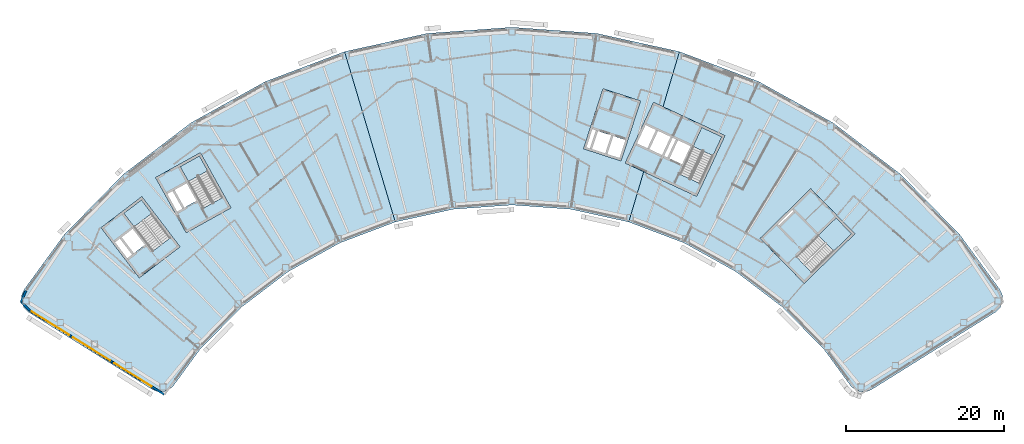
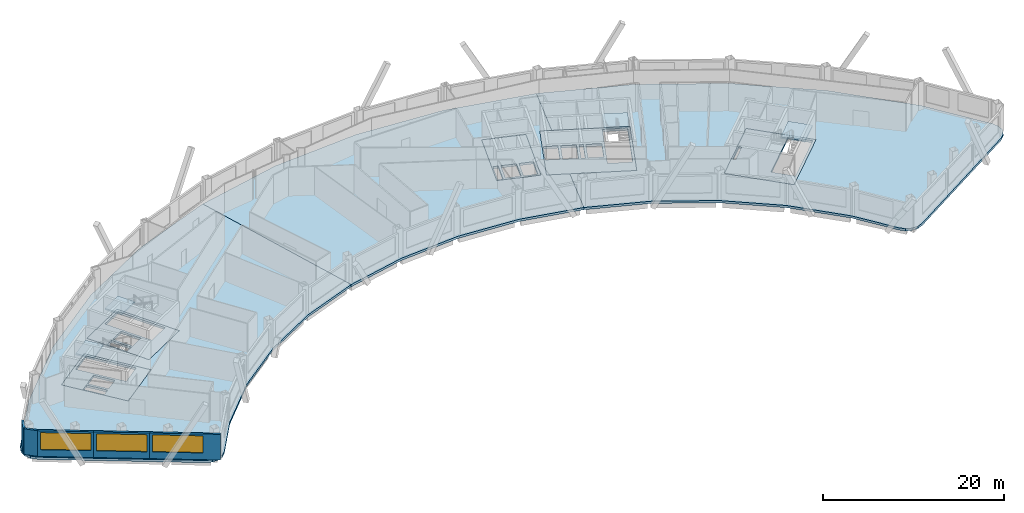
# One storey, part 4 of 14: 12 slabs, 5 walls, 3 windows, 3 openings, 4 elements without a shape of their own.
"""IFC4 building model written with IfcOpenShell, lengths in metres."""

import ifcopenshell
import ifcopenshell.guid

model = None  # the IFC model being written
_history = None  # IfcOwnerHistory: only IFC2X3 demands one
_inside = {}  # id of a spatial element -> (the spatial element, [elements in it])
_under = {}  # id of a project, library or spatial element -> (it, [spatial elements below it])
_declared = {}  # id of a project -> (the project, [libraries it declares])
_typed = {}  # id of a type object -> (the type object, [elements of that type])
_made_of = {}  # id of a material, layer set ... -> (it, [elements and type objects made of it])


def new_model(schema):
    """Start an empty IFC model of exactly this schema.

    Asked for "IFC4X3", IfcOpenShell would pick the latest addendum, in which some entities
    have other attributes; the version numbers below select the first issue.
    IFC2X3 requires an IfcOwnerHistory on every rooted entity: one is made here for all.
    """
    global model, _history
    if schema == "IFC4X3":
        model = ifcopenshell.file(schema_version=(4, 3, 0, 0))
    else:
        model = ifcopenshell.file(schema=schema)
    _inside.clear()
    _under.clear()
    _declared.clear()
    _typed.clear()
    _made_of.clear()
    _history = None
    if model.schema == "IFC2X3":
        org = make("IfcOrganization", Name="unknown")
        user = make(
            "IfcPersonAndOrganization",
            ThePerson=make("IfcPerson", FamilyName="unknown"),
            TheOrganization=org,
        )
        app = make(
            "IfcApplication",
            ApplicationDeveloper=org,
            Version="unknown",
            ApplicationFullName="unknown",
            ApplicationIdentifier="unknown",
        )
        _history = make(
            "IfcOwnerHistory",
            OwningUser=user,
            OwningApplication=app,
            ChangeAction="ADDED",
            CreationDate=0,
        )
    return model


def make(cls, **values):
    """One entity of the class cls with the attributes given. An attribute that is None is left unset."""
    return model.create_entity(
        cls, **{name: value for name, value in values.items() if value is not None}
    )


def rooted(cls, **values):
    """An entity with a GlobalId (a new one), such as an element, a storey or a relation."""
    return make(cls, GlobalId=ifcopenshell.guid.new(), OwnerHistory=_history, **values)


def si_unit(unit_type, name, prefix=None):
    """IfcSIUnit, for example si_unit("LENGTHUNIT", "METRE", prefix="MILLI")."""
    return make("IfcSIUnit", UnitType=unit_type, Prefix=prefix, Name=name)


def assignment(units):
    """IfcUnitAssignment: the units of a project."""
    return None if units is None else make("IfcUnitAssignment", Units=units)


def point(xyz):
    """IfcCartesianPoint."""
    return None if xyz is None else make("IfcCartesianPoint", Coordinates=xyz)


def direction(xyz):
    """IfcDirection."""
    return None if xyz is None else make("IfcDirection", DirectionRatios=xyz)


def frame(location, z_axis=None, x_axis=None):
    """IfcAxis2Placement3D, a coordinate frame: its origin and axes. An axis left out is left unset."""
    return make(
        "IfcAxis2Placement3D",
        Location=point(location),
        Axis=direction(z_axis),
        RefDirection=direction(x_axis),
    )


def frame_2d(location, x_axis=None):
    """IfcAxis2Placement2D, a coordinate frame in the plane: its origin and x axis."""
    return make(
        "IfcAxis2Placement2D", Location=point(location), RefDirection=direction(x_axis)
    )


def origin():
    """The frame at (0, 0, 0) with its axes left unset."""
    return frame((0.0, 0.0, 0.0))


def place(relative_to, where):
    """IfcLocalPlacement: puts the frame where relative to a parent placement (None: the world)."""
    return make(
        "IfcLocalPlacement", PlacementRelTo=relative_to, RelativePlacement=where
    )


def context(
    kind, dimensions, precision=None, world=None, true_north=None, identifier=None
):
    """IfcGeometricRepresentationContext, for example the 3D "Model" context."""
    return make(
        "IfcGeometricRepresentationContext",
        ContextIdentifier=identifier,
        ContextType=kind,
        CoordinateSpaceDimension=dimensions,
        Precision=precision,
        WorldCoordinateSystem=world,
        TrueNorth=true_north,
    )


def subcontext(parent, identifier, kind, view, scale=None):
    """IfcGeometricRepresentationSubContext, for example "Body" below "Model"."""
    return make(
        "IfcGeometricRepresentationSubContext",
        ContextIdentifier=identifier,
        ContextType=kind,
        ParentContext=parent,
        TargetScale=scale,
        TargetView=view,
    )


def project(units=None, contexts=None):
    """IfcProject with its units and contexts."""
    return rooted(
        "IfcProject",
        Name="project",
        RepresentationContexts=contexts,
        UnitsInContext=assignment(units),
    )


def spatial(cls, under=None, at=None, **own):
    """A site, building, storey or space (cls), placed at a placement, below another one or the project."""
    s = rooted(cls, ObjectPlacement=at, **own)
    if under is not None:
        _under.setdefault(under.id(), (under, []))[1].append(s)
    return s


def polyline(points):
    """IfcPolyline through the points."""
    return make("IfcPolyline", Points=[point(p) for p in points])


def profile(cls, at=None, kind="AREA", **sizes):
    """A parametric profile (cls). Its sizes go by their IFC names, for example OverallWidth=200.0."""
    return make(cls, ProfileType=kind, Position=at, **sizes)


def rectangle(**sizes):
    """IfcRectangleProfileDef."""
    return profile("IfcRectangleProfileDef", **sizes)


def outline(outer, holes=None, kind="AREA"):
    """IfcArbitraryClosedProfileDef: a profile drawn as a closed curve; with holes, ...WithVoids."""
    if holes is None:
        return make("IfcArbitraryClosedProfileDef", ProfileType=kind, OuterCurve=outer)
    return make(
        "IfcArbitraryProfileDefWithVoids",
        ProfileType=kind,
        OuterCurve=outer,
        InnerCurves=holes,
    )


def extrude(swept, where, along, depth):
    """IfcExtrudedAreaSolid: the profile swept, set in the frame where, extruded along a direction by depth."""
    return make(
        "IfcExtrudedAreaSolid",
        SweptArea=swept,
        Position=where,
        ExtrudedDirection=direction(along),
        Depth=depth,
    )


def shape(context_of_items, identifier, shape_type, items):
    """IfcShapeRepresentation: the items that make up one representation, for example the "Body"."""
    return make(
        "IfcShapeRepresentation",
        ContextOfItems=context_of_items,
        RepresentationIdentifier=identifier,
        RepresentationType=shape_type,
        Items=items,
    )


def material(Name=None, Category=None):
    """IfcMaterial."""
    return make("IfcMaterial", Name=Name, Category=Category)


def layer(
    of_material, thickness, ventilated=None, Name=None, Category=None, Priority=None
):
    """IfcMaterialLayer: one layer of a wall or slab, of a material (None: an air gap)."""
    return make(
        "IfcMaterialLayer",
        Material=of_material,
        LayerThickness=thickness,
        IsVentilated=ventilated,
        Name=Name,
        Category=Category,
        Priority=Priority,
    )


def layer_set(layers, Name=None):
    """IfcMaterialLayerSet."""
    return make("IfcMaterialLayerSet", MaterialLayers=layers, LayerSetName=Name)


def made_of(thing, what):
    """Note that an element or type object is made of a material, layer set ...; save() writes the relation."""
    if what is not None:
        _made_of.setdefault(what.id(), (what, []))[1].append(thing)
    return thing


def type_object(cls, material=None, **own):
    """A type object (cls), such as IfcWallType, which elements share."""
    return made_of(rooted(cls, **own), material)


def element(
    cls,
    number,
    at=None,
    inside=None,
    cuts=None,
    type_object=None,
    material=None,
    context=None,
    identifier="Body",
    shape_type=None,
    held_by="IfcProductDefinitionShape",
    body=None,
    shapes=None,
    **own,
):
    """One element of the class cls, such as IfcWall. Its Tag is "e" and its number.

    at: its placement. inside: the storey or other place that contains it. cuts: it is an
    opening in that element (IfcRelVoidsElement). A single representation is given by context,
    identifier, shape_type and body (its items); several are given by shapes. held_by: the class
    of the entity that holds the representations. save() writes the other relations.
    """
    e = rooted(cls, Tag="e%d" % number, ObjectPlacement=at, **own)
    if body is not None:
        shapes = [shape(context, identifier, shape_type, body)]
    if shapes is not None:
        e.Representation = make(held_by, Representations=shapes)
    if inside is not None:
        _inside.setdefault(inside.id(), (inside, []))[1].append(e)
    if cuts is not None:
        rooted(
            "IfcRelVoidsElement", RelatingBuildingElement=cuts, RelatedOpeningElement=e
        )
    if type_object is not None:
        _typed.setdefault(type_object.id(), (type_object, []))[1].append(e)
    return made_of(e, material)


def fill(opening, filler):
    """IfcRelFillsElement: the door or window that sits in an opening."""
    return rooted(
        "IfcRelFillsElement",
        RelatingOpeningElement=opening,
        RelatedBuildingElement=filler,
    )


def aggregate(whole, parts):
    """IfcRelAggregates: a whole, such as a stair, and the parts it consists of."""
    return rooted("IfcRelAggregates", RelatingObject=whole, RelatedObjects=parts)


def save(model, path):
    """Write the relations noted so far, then the file.

    IfcRelAggregates (storeys below a building ...), IfcRelContainedInSpatialStructure (elements
    in a storey), IfcRelDefinesByType, IfcRelAssociatesMaterial and IfcRelDeclares: one each for
    every whole, place, type object, material and project.
    """
    for whole, parts in _under.values():
        aggregate(whole, parts)
    for where, things in _inside.values():
        rooted(
            "IfcRelContainedInSpatialStructure",
            RelatedElements=things,
            RelatingStructure=where,
        )
    for kind, things in _typed.values():
        rooted("IfcRelDefinesByType", RelatedObjects=things, RelatingType=kind)
    for what, things in _made_of.values():
        rooted("IfcRelAssociatesMaterial", RelatedObjects=things, RelatingMaterial=what)
    for by, libraries in _declared.values():
        rooted("IfcRelDeclares", RelatingContext=by, RelatedDefinitions=libraries)
    model.write(path)


model = new_model("IFC4")

# Units and contexts
model_context = context("Model", 3, precision=1e-05, world=origin(), true_north=direction((0.0, 1.0)))
body_context = subcontext(model_context, "Body", "Model", "MODEL_VIEW")
ifc_project = project(units=[si_unit("LENGTHUNIT", "METRE"), si_unit("AREAUNIT", "SQUARE_METRE"), si_unit("VOLUMEUNIT", "CUBIC_METRE"), si_unit("PLANEANGLEUNIT", "RADIAN"), si_unit("MASSUNIT", "GRAM", prefix="KILO")], contexts=[model_context])

# Site, building, storey
site_placement = place(None, origin())
site = spatial("IfcSite", under=ifc_project, at=site_placement, CompositionType="ELEMENT")
building_placement = place(site_placement, origin())
building = spatial("IfcBuilding", under=site, at=building_placement, Name="Tuul Gate Civic Tower", CompositionType="ELEMENT")
storey_placement = place(building_placement, frame((0.0, 0.0, 256.800048828125)))
storey = spatial("IfcBuildingStorey", under=building, at=storey_placement, Name="Level 58", CompositionType="ELEMENT", Elevation=256.800048828125)

# Slabs
ifc_material_1 = material(Name="Concrete C40/50", Category="concrete")
ifc_layer_1 = layer(ifc_material_1, 0.300048828125)
ifc_layer_set_1 = layer_set([ifc_layer_1], Name="Concrete C40/50")
slab_type_1 = type_object("IfcSlabType", Name="Core floor slab 300", PredefinedType="FLOOR", material=ifc_layer_set_1)
slab_1_placement = place(storey_placement, frame((0.0, 0.0, -0.300048828125)))
element("IfcSlab", 1, at=slab_1_placement, inside=storey, type_object=slab_type_1, Name="FLOOR SLAB", PredefinedType="FLOOR", context=body_context, shape_type="SweptSolid", body=[
    extrude(outline(polyline([(-31.10009765625, -13.7890625), (-35.946044921875, -7.423828125), (-41.11767578125, -11.361572265625), (-36.271484375, -17.726806640625), (-31.10009765625, -13.7890625)]), holes=[polyline([(-35.561767578125, -13.541259765625), (-37.1064453125, -11.512451171875), (-38.498779296875, -12.572509765625), (-36.9541015625, -14.6015625), (-35.561767578125, -13.541259765625)]), polyline([(-37.19287109375, -14.783203125), (-38.737548828125, -12.75439453125), (-39.45361328125, -13.299560546875), (-37.908935546875, -15.328369140625), (-37.19287109375, -14.783203125)]), polyline([(-32.33935546875, -12.65771484375), (-34.56591796875, -14.352783203125), (-38.229736328125, -9.54052734375), (-36.003173828125, -7.845458984375), (-32.33935546875, -12.65771484375)])]), origin(), (0.0, 0.0, 1.0), 0.300048828125),
])
slab_2_placement = place(storey_placement, frame((0.0, 0.0, -0.300048828125)))
element("IfcSlab", 2, at=slab_2_placement, inside=storey, type_object=slab_type_1, Name="FLOOR SLAB", PredefinedType="FLOOR", context=body_context, shape_type="SweptSolid", body=[
    extrude(outline(polyline([(-24.638916015625, -8.846923828125), (-28.51708984375, -1.849853515625), (-34.2021484375, -5.0009765625), (-30.32421875, -11.998046875), (-24.638916015625, -8.846923828125)]), holes=[polyline([(-29.0185546875, -7.958740234375), (-30.254638671875, -5.728515625), (-31.785400390625, -6.576904296875), (-30.54931640625, -8.80712890625), (-29.0185546875, -7.958740234375)]), polyline([(-30.8115234375, -8.95263671875), (-32.047607421875, -6.72216796875), (-32.8349609375, -7.158447265625), (-31.5986328125, -9.388916015625), (-30.8115234375, -8.95263671875)]), polyline([(-25.702392578125, -7.548828125), (-28.14990234375, -8.905517578125), (-31.08203125, -3.615234375), (-28.63427734375, -2.2587890625), (-25.702392578125, -7.548828125)])]), origin(), (0.0, 0.0, 1.0), 0.300048828125),
])
slab_3_placement = place(storey_placement, frame((0.0, 0.0, -0.300048828125)))
element("IfcSlab", 3, at=slab_3_placement, inside=storey, type_object=slab_type_1, Name="FLOOR SLAB", PredefinedType="FLOOR", context=body_context, shape_type="SweptSolid", body=[
    extrude(outline(polyline([(48.117919921875, -18.43310546875), (54.545166015625, -12.1328125), (48.945068359375, -6.419921875), (42.517822265625, -12.719970703125), (48.117919921875, -18.43310546875)]), holes=[polyline([(44.93896484375, -11.046875), (46.760009765625, -9.261962890625), (46.514892578125, -9.011962890625), (44.69384765625, -10.797119140625), (44.93896484375, -11.046875)]), polyline([(49.086181640625, -17.062744140625), (47.12744140625, -15.064208984375), (52.160888671875, -10.130126953125), (54.11962890625, -12.128662109375), (49.086181640625, -17.062744140625)])]), origin(), (0.0, 0.0, 1.0), 0.300048828125),
])
slab_4_placement = place(storey_placement, frame((0.0, 0.0, -0.300048828125)))
element("IfcSlab", 4, at=slab_4_placement, inside=storey, type_object=slab_type_1, Name="FLOOR SLAB", PredefinedType="FLOOR", context=body_context, shape_type="SweptSolid", body=[
    extrude(outline(polyline([(34.465087890625, -7.385986328125), (38.056884765625, 0.31787109375), (28.993896484375, 4.543701171875), (25.40185546875, -3.159912109375), (34.465087890625, -7.385986328125)]), holes=[polyline([(32.60888671875, -3.32080078125), (33.6865234375, -1.009765625), (32.1005859375, -0.27001953125), (31.02294921875, -2.581298828125), (32.60888671875, -3.32080078125)]), polyline([(30.0712890625, -2.137451171875), (31.14892578125, 0.173583984375), (29.562744140625, 0.9130859375), (28.4853515625, -1.39794921875), (30.0712890625, -2.137451171875)]), polyline([(30.751220703125, -2.454345703125), (31.82861328125, -0.143310546875), (31.4208984375, 0.046875), (30.34326171875, -2.264404296875), (30.751220703125, -2.454345703125)]), polyline([(28.21337890625, -1.27099609375), (29.291015625, 1.0400390625), (27.8408203125, 1.71630859375), (26.76318359375, -0.594970703125), (28.21337890625, -1.27099609375)]), polyline([(34.889892578125, -5.7626953125), (32.353759765625, -4.580078125), (35.120849609375, 1.354736328125), (37.6572265625, 0.17236328125), (34.889892578125, -5.7626953125)])]), origin(), (0.0, 0.0, 1.0), 0.300048828125),
])
ifc_material_2 = material(Name="Concrete C40/50", Category="concrete")
ifc_layer_2 = layer(ifc_material_2, 0.300048828125)
ifc_layer_set_2 = layer_set([ifc_layer_2], Name="Concrete C40/50")
slab_type_2 = type_object("IfcSlabType", Name="Core floor slab 300 non-bearing", PredefinedType="FLOOR", material=ifc_layer_set_2)
slab_5_placement = place(storey_placement, frame((0.0, 0.0, -0.300048828125)))
element("IfcSlab", 5, at=slab_5_placement, inside=storey, type_object=slab_type_2, Name="FLOOR SLAB", PredefinedType="FLOOR", context=body_context, shape_type="SweptSolid", body=[
    extrude(outline(polyline([(24.864990234375, -2.888916015625), (27.337890625, 4.71923828125), (22.58251953125, 6.264404296875), (20.109619140625, -1.343994140625), (24.864990234375, -2.888916015625)]), holes=[polyline([(24.67236328125, -2.510986328125), (25.414306640625, -0.228515625), (23.892578125, 0.265869140625), (23.150634765625, -2.0166015625), (24.67236328125, -2.510986328125)]), polyline([(22.865478515625, -1.923828125), (23.607177734375, 0.358642578125), (21.94287109375, 0.8994140625), (21.201171875, -1.383056640625), (22.865478515625, -1.923828125)]), polyline([(20.869384765625, -1.43310546875), (21.65771484375, 0.9921875), (21.0869140625, 1.177490234375), (20.298583984375, -1.24755859375), (20.869384765625, -1.43310546875)])]), origin(), (0.0, 0.0, 1.0), 0.300048828125),
])

# Stair, slab
ifc_material_3 = material(Name="Concrete C40/50", Category="concrete")
stair_type = type_object("IfcStairType", Name="Exit stair", PredefinedType="HALF_TURN_STAIR", material=ifc_material_3)
stair_1_placement = place(storey_placement, origin())
stair_1 = element("IfcStair", 6, at=stair_1_placement, inside=storey, type_object=stair_type, Name="Level 58 ST-1", PredefinedType="HALF_TURN_STAIR")
ifc_material_4 = material(Name="Concrete C40/50", Category="concrete")
ifc_layer_3 = layer(ifc_material_4, 0.199951171875)
ifc_layer_set_3 = layer_set([ifc_layer_3], Name="Concrete C40/50")
slab_type_3 = type_object("IfcSlabType", Name="Exit stair landing", PredefinedType="LANDING", material=ifc_layer_set_3)
slab_6_placement = place(storey_placement, frame((0.0, 0.0, 1.89990234375)))
slab_6 = element("IfcSlab", 7, at=slab_6_placement, type_object=slab_type_3, Name="ST-1 landing 1", PredefinedType="LANDING", context=body_context, shape_type="SweptSolid", body=[
    extrude(outline(polyline([(-34.699462890625, -9.554931640625), (-36.9287109375, -11.252197265625), (-38.23193359375, -9.540283203125), (-36.0029296875, -7.843017578125), (-34.699462890625, -9.554931640625)])), origin(), (0.0, 0.0, 1.0), 0.199951171875),
])
aggregate(stair_1, [slab_6])

stair_2_placement = place(storey_placement, origin())
stair_2 = element("IfcStair", 8, at=stair_2_placement, inside=storey, type_object=stair_type, Name="Level 58 ST-2", PredefinedType="HALF_TURN_STAIR")
slab_7_placement = place(storey_placement, frame((0.0, 0.0, 1.89990234375)))
slab_7 = element("IfcSlab", 9, at=slab_7_placement, type_object=slab_type_3, Name="ST-2 landing 1", PredefinedType="LANDING", context=body_context, shape_type="SweptSolid", body=[
    extrude(outline(polyline([(-27.5908203125, -4.138427734375), (-30.041015625, -5.49658203125), (-31.084228515625, -3.61474609375), (-28.6337890625, -2.256591796875), (-27.5908203125, -4.138427734375)])), origin(), (0.0, 0.0, 1.0), 0.199951171875),
])
aggregate(stair_2, [slab_7])

stair_3_placement = place(storey_placement, origin())
stair_3 = element("IfcStair", 10, at=stair_3_placement, inside=storey, type_object=stair_type, Name="Level 58 ST-3", PredefinedType="HALF_TURN_STAIR")
slab_8_placement = place(storey_placement, frame((0.0, 0.0, 1.89990234375)))
slab_8 = element("IfcSlab", 11, at=slab_8_placement, type_object=slab_type_3, Name="ST-3 landing 1", PredefinedType="LANDING", context=body_context, shape_type="SweptSolid", body=[
    extrude(outline(polyline([(51.871337890625, -14.3349609375), (49.91015625, -12.334228515625), (52.160888671875, -10.1279296875), (54.1220703125, -12.128662109375), (51.871337890625, -14.3349609375)])), origin(), (0.0, 0.0, 1.0), 0.199951171875),
])
aggregate(stair_3, [slab_8])

stair_4_placement = place(storey_placement, origin())
stair_4 = element("IfcStair", 12, at=stair_4_placement, inside=storey, type_object=stair_type, Name="Level 58 ST-4", PredefinedType="HALF_TURN_STAIR")
slab_9_placement = place(storey_placement, frame((0.0, 0.0, 1.89990234375)))
slab_9 = element("IfcSlab", 13, at=slab_9_placement, type_object=slab_type_3, Name="ST-4 landing 1", PredefinedType="LANDING", context=body_context, shape_type="SweptSolid", body=[
    extrude(outline(polyline([(36.538818359375, -2.230224609375), (33.999755859375, -1.046142578125), (35.1201171875, 1.35693359375), (37.659423828125, 0.173095703125), (36.538818359375, -2.230224609375)])), origin(), (0.0, 0.0, 1.0), 0.199951171875),
])
aggregate(stair_4, [slab_9])

# Slabs
ifc_material_5 = material(Name="Concrete C35/45", Category="concrete")
ifc_layer_4 = layer(ifc_material_5, 0.300048828125)
ifc_layer_set_4 = layer_set([ifc_layer_4], Name="Concrete C35/45")
slab_type_4 = type_object("IfcSlabType", Name="STR-FLOOR-SLAB-300", PredefinedType="FLOOR", material=ifc_layer_set_4)
slab_10_placement = place(storey_placement, frame((0.0, 0.0, -0.300048828125)))
element("IfcSlab", 14, at=slab_10_placement, inside=storey, type_object=slab_type_4, Name="Level 58/slab/W", PredefinedType="FLOOR", context=body_context, shape_type="SweptSolid", body=[
    extrude(outline(polyline([(-10.802978515625, -13.294921875), (-3.782958984375, -10.64111328125), (-10.217041015625, 10.98095703125), (-20.285888671875, 7.174072265625), (-29.699951171875, 1.955078125), (-38.264892578125, -4.56591796875), (-45.800048828125, -12.2529296875), (-50.881103515625, -19.208984375), (-51.217041015625, -19.951904296875), (-51.22900390625, -20.76806640625), (-50.9140625, -21.52001953125), (-50.324951171875, -22.0849609375), (-34.594970703125, -31.9140625), (-33.90087890625, -32.18408203125), (-33.156005859375, -32.181884765625), (-32.464111328125, -31.906982421875), (-31.919921875, -31.39697265625), (-28.591064453125, -26.839111328125), (-23.337890625, -21.47998046875), (-17.366943359375, -16.93408203125), (-10.802978515625, -13.294921875)]), holes=[polyline([(-31.10009765625, -13.7890625), (-36.27197265625, -17.72705078125), (-41.117919921875, -11.362060546875), (-35.946044921875, -7.424072265625), (-31.10009765625, -13.7890625)]), polyline([(-24.638916015625, -8.846923828125), (-30.323974609375, -11.998046875), (-34.201904296875, -5.0009765625), (-28.51708984375, -1.85009765625), (-24.638916015625, -8.846923828125)])]), origin(), (0.0, 0.0, 1.0), 0.300048828125),
])
slab_11_placement = place(storey_placement, frame((0.0, 0.0, -0.300048828125)))
element("IfcSlab", 15, at=slab_11_placement, inside=storey, type_object=slab_type_4, Name="Level 58/slab/M", PredefinedType="FLOOR", context=body_context, shape_type="SweptSolid", body=[
    extrude(outline(polyline([(18.51611328125, -9.02490234375), (25.844970703125, -10.64111328125), (27.74609375, -4.2529296875), (25.402099609375, -3.159912109375), (28.993896484375, 4.5439453125), (30.197021484375, 3.98291015625), (32.279052734375, 10.98095703125), (21.76708984375, 13.298095703125), (11.031005859375, 14.075927734375), (0.294921875, 13.298095703125), (-10.217041015625, 10.98095703125), (-3.782958984375, -10.64111328125), (3.5458984375, -9.02490234375), (11.031005859375, -8.48291015625), (18.51611328125, -9.02490234375)]), holes=[polyline([(20.110107421875, -1.343994140625), (22.58203125, 6.264892578125), (27.337890625, 4.719970703125), (24.864990234375, -2.888916015625), (20.110107421875, -1.343994140625)])]), origin(), (0.0, 0.0, 1.0), 0.300048828125),
])
slab_12_placement = place(storey_placement, frame((0.0, 0.0, -0.300048828125)))
element("IfcSlab", 16, at=slab_12_placement, inside=storey, type_object=slab_type_4, Name="Level 58/slab/E", PredefinedType="FLOOR", context=body_context, shape_type="SweptSolid", body=[
    extrude(outline(polyline([(55.962890625, -32.18408203125), (56.656982421875, -31.9140625), (72.386962890625, -22.0849609375), (72.97607421875, -21.52001953125), (73.291015625, -20.76806640625), (73.279052734375, -19.951904296875), (72.94189453125, -19.208984375), (67.862060546875, -12.2529296875), (60.325927734375, -4.56591796875), (51.761962890625, 1.955078125), (42.347900390625, 7.174072265625), (32.279052734375, 10.98095703125), (30.197021484375, 3.98291015625), (38.056884765625, 0.318115234375), (34.465087890625, -7.385986328125), (27.74609375, -4.2529296875), (25.844970703125, -10.64111328125), (32.864990234375, -13.294921875), (39.428955078125, -16.93408203125), (45.39990234375, -21.47998046875), (50.653076171875, -26.839111328125), (53.98193359375, -31.39697265625), (54.52587890625, -31.906982421875), (55.218017578125, -32.181884765625), (55.962890625, -32.18408203125)]), holes=[polyline([(48.117919921875, -18.43310546875), (42.51806640625, -12.719970703125), (48.945068359375, -6.419921875), (54.544921875, -12.133056640625), (48.117919921875, -18.43310546875)])]), origin(), (0.0, 0.0, 1.0), 0.300048828125),
])

# Walls
ifc_material_6 = material(Name="Precast concrete C40/50", Category="concrete")
ifc_layer_5 = layer(ifc_material_6, 0.25)
ifc_layer_set_5 = layer_set([ifc_layer_5], Name="Precast concrete C40/50")
wall_type = type_object("IfcWallType", Name="External wall", PredefinedType="STANDARD", material=ifc_layer_set_5)
wall_1_placement = place(storey_placement, frame((-50.645263671875, -19.3486328125, 0.0), z_axis=(0.0, 0.0, 1.0), x_axis=(-0.412995937313, -0.9107328674, 0.0)))
element("IfcWall", 17, at=wall_1_placement, inside=storey, type_object=wall_type, Name="External wall", PredefinedType="STANDARD", context=body_context, shape_type="SweptSolid", body=[
    extrude(rectangle(XDim=1.572998046875, YDim=0.25, at=frame_2d((0.78662109375, 0.0))), origin(), (0.0, 0.0, 1.0), 3.449951171875),
])
wall_2_placement = place(storey_placement, frame((-51.294921875, -20.78125, 0.0), z_axis=(0.0, 0.0, 1.0), x_axis=(0.722783622894, -0.69107440589, 0.0)))
element("IfcWall", 18, at=wall_2_placement, inside=storey, type_object=wall_type, Name="External wall", PredefinedType="STANDARD", context=body_context, shape_type="SweptSolid", body=[
    extrude(rectangle(XDim=1.570556640625, YDim=0.25, at=frame_2d((0.78515625, 0.0))), origin(), (0.0, 0.0, 1.0), 3.449951171875),
])

# Wall, opening, window
wall_3_placement = place(storey_placement, frame((-50.1796875, -21.85107421875, 0.0), z_axis=(0.0, 0.0, 1.0), x_axis=(0.848024923451, -0.529956346509, 0.0)))
wall_3 = element("IfcWall", 19, at=wall_3_placement, inside=storey, type_object=wall_type, Name="External wall", PredefinedType="STANDARD", context=body_context, shape_type="SweptSolid", body=[
    extrude(rectangle(XDim=6.182861328125, YDim=0.25, at=frame_2d((3.09130859375, 0.0))), origin(), (0.0, 0.0, 1.0), 3.449951171875),
])
opening_1_placement = place(wall_3_placement, frame((0.31640625, 0.0, 0.89990234375)))
opening_1 = element("IfcOpeningElement", 20, at=opening_1_placement, cuts=wall_3, Name="Opening W24", PredefinedType="OPENING", context=body_context, shape_type="SweptSolid", body=[
    extrude(rectangle(XDim=5.550048828125, YDim=2.300048828125, at=frame_2d((2.77490234375, 1.14990234375))), frame((0.0, 0.135009765625, 0.0), z_axis=(0.0, -1.0, 0.0), x_axis=(1.0, 0.0, 0.0)), (0.0, 0.0, 1.0), 0.27001953125),
])
ifc_material_7 = material(Name="Glass", Category="glass")
window_type = type_object("IfcWindowType", Name="Window W24 5550 x 2300", PartitioningType="SINGLE_PANEL", PredefinedType="WINDOW", material=ifc_material_7)
window_1_placement = place(opening_1_placement, origin())
window_1 = element("IfcWindow", 21, at=window_1_placement, inside=storey, type_object=window_type, Name="Window", OverallHeight=2.300048828125, OverallWidth=5.550048828125, PartitioningType="SINGLE_PANEL", PredefinedType="WINDOW", context=body_context, shape_type="SweptSolid", body=[
    extrude(rectangle(XDim=5.550048828125, YDim=2.300048828125, at=frame_2d((2.77490234375, 1.14990234375))), frame((0.0, 0.030029296875, 0.0), z_axis=(0.0, -1.0, 0.0), x_axis=(1.0, 0.0, 0.0)), (0.0, 0.0, 1.0), 0.06005859375),
])
fill(opening_1, window_1)

wall_4_placement = place(storey_placement, frame((-44.9365234375, -25.127685546875, 0.0), z_axis=(0.0, 0.0, 1.0), x_axis=(0.848036012993, -0.529938600846, 0.0)))
wall_4 = element("IfcWall", 22, at=wall_4_placement, inside=storey, type_object=wall_type, Name="External wall", PredefinedType="STANDARD", context=body_context, shape_type="SweptSolid", body=[
    extrude(rectangle(XDim=6.18310546875, YDim=0.25, at=frame_2d((3.091552734375, 0.0))), origin(), (0.0, 0.0, 1.0), 3.449951171875),
])
opening_2_placement = place(wall_4_placement, frame((0.31640625, 0.0, 0.89990234375)))
opening_2 = element("IfcOpeningElement", 23, at=opening_2_placement, cuts=wall_4, Name="Opening W24", PredefinedType="OPENING", context=body_context, shape_type="SweptSolid", body=[
    extrude(rectangle(XDim=5.550048828125, YDim=2.300048828125, at=frame_2d((2.77490234375, 1.14990234375))), frame((0.0, 0.135009765625, 0.0), z_axis=(0.0, -1.0, 0.0), x_axis=(1.0, 0.0, 0.0)), (0.0, 0.0, 1.0), 0.27001953125),
])
window_2_placement = place(opening_2_placement, origin())
window_2 = element("IfcWindow", 24, at=window_2_placement, inside=storey, type_object=window_type, Name="Window", OverallHeight=2.300048828125, OverallWidth=5.550048828125, PartitioningType="SINGLE_PANEL", PredefinedType="WINDOW", context=body_context, shape_type="SweptSolid", body=[
    extrude(rectangle(XDim=5.550048828125, YDim=2.300048828125, at=frame_2d((2.77490234375, 1.14990234375))), frame((0.0, 0.030029296875, 0.0), z_axis=(0.0, -1.0, 0.0), x_axis=(1.0, 0.0, 0.0)), (0.0, 0.0, 1.0), 0.06005859375),
])
fill(opening_2, window_2)

wall_5_placement = place(storey_placement, frame((-39.693115234375, -28.404296875, 0.0), z_axis=(0.0, 0.0, 1.0), x_axis=(0.848019436648, -0.529965126274, 0.0)))
wall_5 = element("IfcWall", 25, at=wall_5_placement, inside=storey, type_object=wall_type, Name="External wall", PredefinedType="STANDARD", context=body_context, shape_type="SweptSolid", body=[
    extrude(rectangle(XDim=7.7880859375, YDim=0.25, at=frame_2d((3.89404296875, 0.0))), origin(), (0.0, 0.0, 1.0), 3.449951171875),
])
opening_3_placement = place(wall_5_placement, frame((0.31640625, 0.0, 0.89990234375)))
opening_3 = element("IfcOpeningElement", 26, at=opening_3_placement, cuts=wall_5, Name="Opening W24", PredefinedType="OPENING", context=body_context, shape_type="SweptSolid", body=[
    extrude(rectangle(XDim=5.550048828125, YDim=2.300048828125, at=frame_2d((2.77490234375, 1.14990234375))), frame((0.0, 0.135009765625, 0.0), z_axis=(0.0, -1.0, 0.0), x_axis=(1.0, 0.0, 0.0)), (0.0, 0.0, 1.0), 0.27001953125),
])
window_3_placement = place(opening_3_placement, origin())
window_3 = element("IfcWindow", 27, at=window_3_placement, inside=storey, type_object=window_type, Name="Window", OverallHeight=2.300048828125, OverallWidth=5.550048828125, PartitioningType="SINGLE_PANEL", PredefinedType="WINDOW", context=body_context, shape_type="SweptSolid", body=[
    extrude(rectangle(XDim=5.550048828125, YDim=2.300048828125, at=frame_2d((2.77490234375, 1.14990234375))), frame((0.0, 0.030029296875, 0.0), z_axis=(0.0, -1.0, 0.0), x_axis=(1.0, 0.0, 0.0)), (0.0, 0.0, 1.0), 0.06005859375),
])
fill(opening_3, window_3)

save(model, "model.ifc")
